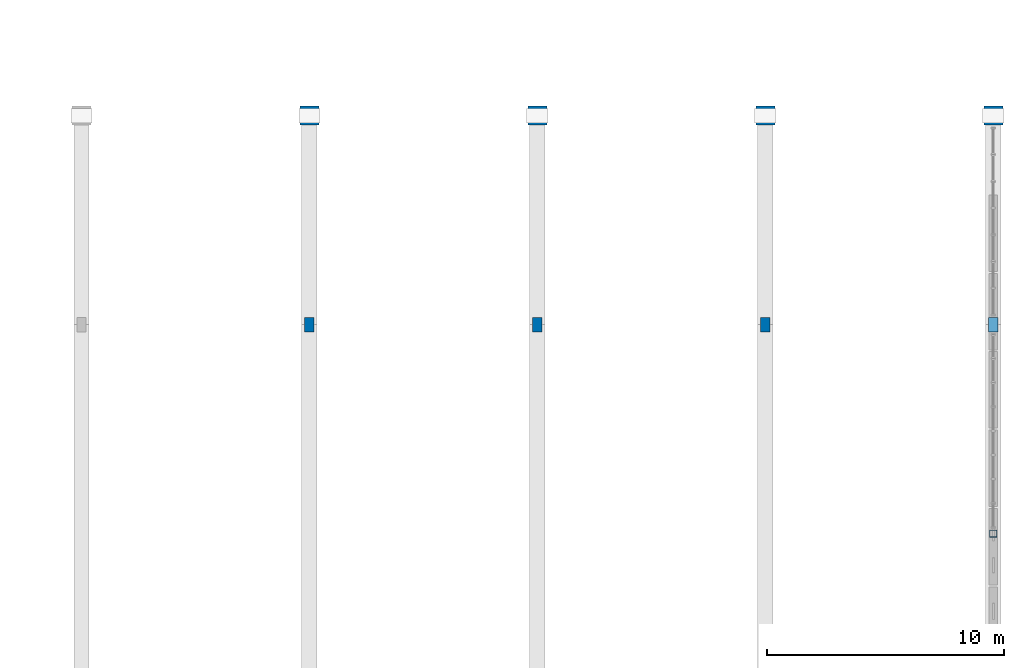
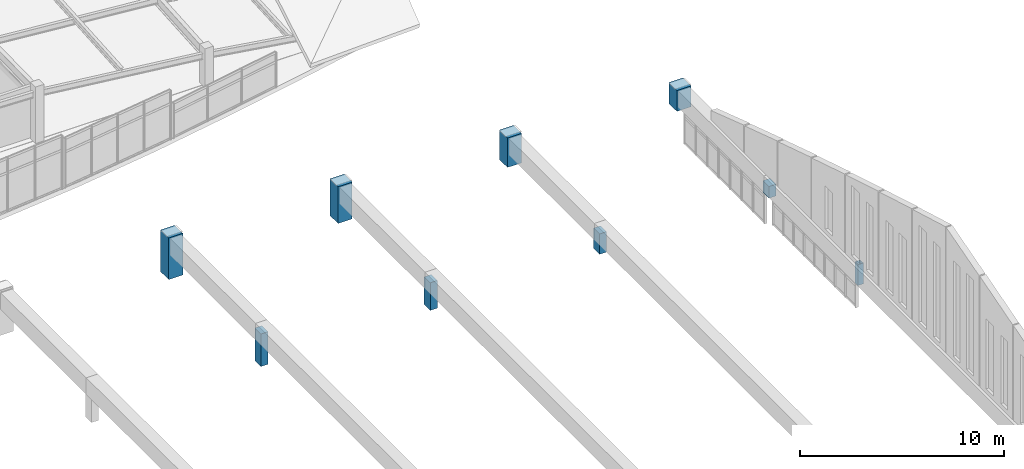
# One storey, part 5 of 65: 9 columns.
"""IFC4 building model written with IfcOpenShell, lengths in metres."""

from ifc_helpers import new_model, si_unit, direction, frame, origin, origin_2d, place, context, subcontext, project, spatial, rectangle, hollow_rectangle, extrude, material, material_profile, profile_set, type_object, element, save


model = new_model("IFC4")

# Units and contexts
model_context = context("Model", 3, precision=1e-05, world=origin(), true_north=direction((0.0, 1.0)))
body_context = subcontext(model_context, "Body", "Model", "MODEL_VIEW")
ifc_project = project(units=[si_unit("LENGTHUNIT", "METRE"), si_unit("AREAUNIT", "SQUARE_METRE"), si_unit("VOLUMEUNIT", "CUBIC_METRE"), si_unit("PLANEANGLEUNIT", "RADIAN"), si_unit("MASSUNIT", "GRAM", prefix="KILO")], contexts=[model_context])

# Site, building, storey
site_placement = place(None, origin())
site = spatial("IfcSite", under=ifc_project, at=site_placement, CompositionType="ELEMENT")
building_placement = place(site_placement, origin())
building = spatial("IfcBuilding", under=site, at=building_placement, Name="Chalmorin Arch Market", CompositionType="ELEMENT")
storey_placement = place(building_placement, frame((0.0, 0.0, 14.10009765625)))
storey = spatial("IfcBuildingStorey", under=building, at=storey_placement, Name="L03", CompositionType="ELEMENT", Elevation=14.10009765625)

# Columns
ifc_material_1 = material(Name="Concrete C50/60", Category="concrete")
ifc_material_profile_1 = material_profile(ifc_material_1, rectangle(XDim=0.800048828125, YDim=0.800048828125, at=origin_2d()), Name="RC800X800")
ifc_profile_set_1 = profile_set([ifc_material_profile_1], Name="Concrete C50/60")
column_type_1 = type_object("IfcColumnType", Name="ArchPierColumn-800x800", PredefinedType="COLUMN", material=ifc_profile_set_1)
column_1_placement = place(storey_placement, frame((96.0, 58.800048828125, 0.0), z_axis=(0.0, 0.0, 1.0), x_axis=(1.0, 0.0, 0.0)))
element("IfcColumn", 1, at=column_1_placement, inside=storey, type_object=column_type_1, Name="C-AP1-499", PredefinedType="COLUMN", context=body_context, shape_type="SweptSolid", body=[
    extrude(rectangle(XDim=0.800048828125, YDim=0.800048828125, at=origin_2d()), origin(), (0.0, 0.0, 1.0), 2.496826171875),
])
column_2_placement = place(storey_placement, frame((105.60009765625, 58.800048828125, 0.0), z_axis=(0.0, 0.0, 1.0), x_axis=(1.0, 0.0, 0.0)))
element("IfcColumn", 2, at=column_2_placement, inside=storey, type_object=column_type_1, Name="C-AP1-554", PredefinedType="COLUMN", context=body_context, shape_type="SweptSolid", body=[
    extrude(rectangle(XDim=0.800048828125, YDim=0.800048828125, at=origin_2d()), origin(), (0.0, 0.0, 1.0), 2.204833984375),
])
column_3_placement = place(storey_placement, frame((115.199951171875, 58.800048828125, 0.0), z_axis=(0.0, 0.0, 1.0), x_axis=(1.0, 0.0, 0.0)))
element("IfcColumn", 3, at=column_3_placement, inside=storey, type_object=column_type_1, Name="C-AP1-609", PredefinedType="COLUMN", context=body_context, shape_type="SweptSolid", body=[
    extrude(rectangle(XDim=0.800048828125, YDim=0.800048828125, at=origin_2d()), origin(), (0.0, 0.0, 1.0), 1.766845703125),
])
column_4_placement = place(storey_placement, frame((124.800048828125, 58.800048828125, 0.0), z_axis=(0.0, 0.0, 1.0), x_axis=(1.0, 0.0, 0.0)))
element("IfcColumn", 4, at=column_4_placement, inside=storey, type_object=column_type_1, Name="C-AP1-676", PredefinedType="COLUMN", context=body_context, shape_type="SweptSolid", body=[
    extrude(rectangle(XDim=0.800048828125, YDim=0.800048828125, at=origin_2d()), origin(), (0.0, 0.0, 1.0), 1.25),
])
ifc_material_2 = material(Name="Concrete C40/50", Category="concrete")
ifc_material_profile_2 = material_profile(ifc_material_2, rectangle(XDim=0.39990234375, YDim=0.60009765625, at=origin_2d()), Name="RC400X600")
ifc_profile_set_2 = profile_set([ifc_material_profile_2], Name="Concrete C40/50")
column_type_2 = type_object("IfcColumnType", Name="GalleryConcreteColumn-400x600", PredefinedType="COLUMN", material=ifc_profile_set_2)
column_5_placement = place(storey_placement, frame((96.0, 50.0, 0.0), z_axis=(0.0, 0.0, 1.0), x_axis=(1.0, 0.0, 0.0)))
element("IfcColumn", 5, at=column_5_placement, inside=storey, type_object=column_type_2, Name="C-RC5-494", PredefinedType="COLUMN", context=body_context, shape_type="SweptSolid", body=[
    extrude(rectangle(XDim=0.39990234375, YDim=0.60009765625, at=origin_2d()), origin(), (0.0, 0.0, 1.0), 1.947021484375),
])
column_6_placement = place(storey_placement, frame((105.60009765625, 50.0, 0.0), z_axis=(0.0, 0.0, 1.0), x_axis=(1.0, 0.0, 0.0)))
element("IfcColumn", 6, at=column_6_placement, inside=storey, type_object=column_type_2, Name="C-RC5-549", PredefinedType="COLUMN", context=body_context, shape_type="SweptSolid", body=[
    extrude(rectangle(XDim=0.39990234375, YDim=0.60009765625, at=origin_2d()), origin(), (0.0, 0.0, 1.0), 1.65478515625),
])
column_7_placement = place(storey_placement, frame((115.199951171875, 50.0, 0.0), z_axis=(0.0, 0.0, 1.0), x_axis=(1.0, 0.0, 0.0)))
element("IfcColumn", 7, at=column_7_placement, inside=storey, type_object=column_type_2, Name="C-RC5-604", PredefinedType="COLUMN", context=body_context, shape_type="SweptSolid", body=[
    extrude(rectangle(XDim=0.39990234375, YDim=0.60009765625, at=origin_2d()), origin(), (0.0, 0.0, 1.0), 1.216796875),
])
column_8_placement = place(storey_placement, frame((124.800048828125, 50.0, 0.0), z_axis=(0.0, 0.0, 1.0), x_axis=(1.0, 0.0, 0.0)))
element("IfcColumn", 8, at=column_8_placement, inside=storey, type_object=column_type_2, Name="C-RC5-671", PredefinedType="COLUMN", context=body_context, shape_type="SweptSolid", body=[
    extrude(rectangle(XDim=0.39990234375, YDim=0.60009765625, at=origin_2d()), origin(), (0.0, 0.0, 1.0), 0.699951171875),
])
ifc_material_3 = material(Name="Steel A500 Grade C", Category="steel")
ifc_material_profile_3 = material_profile(ifc_material_3, hollow_rectangle(XDim=0.3046875, YDim=0.3046875, WallThickness=0.01171875, at=origin_2d()), Name="HSS12X12X1/2")
ifc_profile_set_3 = profile_set([ifc_material_profile_3], Name="Steel A500 Grade C")
column_type_3 = type_object("IfcColumnType", Name="SteelTubeColumn-HSS12X12", PredefinedType="COLUMN", material=ifc_profile_set_3)
column_9_placement = place(storey_placement, frame((124.800048828125, 41.199951171875, 0.0), z_axis=(0.0, 0.0, 1.0), x_axis=(1.0, 0.0, 0.0)))
element("IfcColumn", 9, at=column_9_placement, inside=storey, type_object=column_type_3, Name="C-HS1-666", PredefinedType="COLUMN", context=body_context, shape_type="SweptSolid", body=[
    extrude(hollow_rectangle(XDim=0.3046875, YDim=0.3046875, WallThickness=0.01171875, at=origin_2d()), origin(), (0.0, 0.0, 1.0), 1.25),
])

save(model, "model.ifc")
